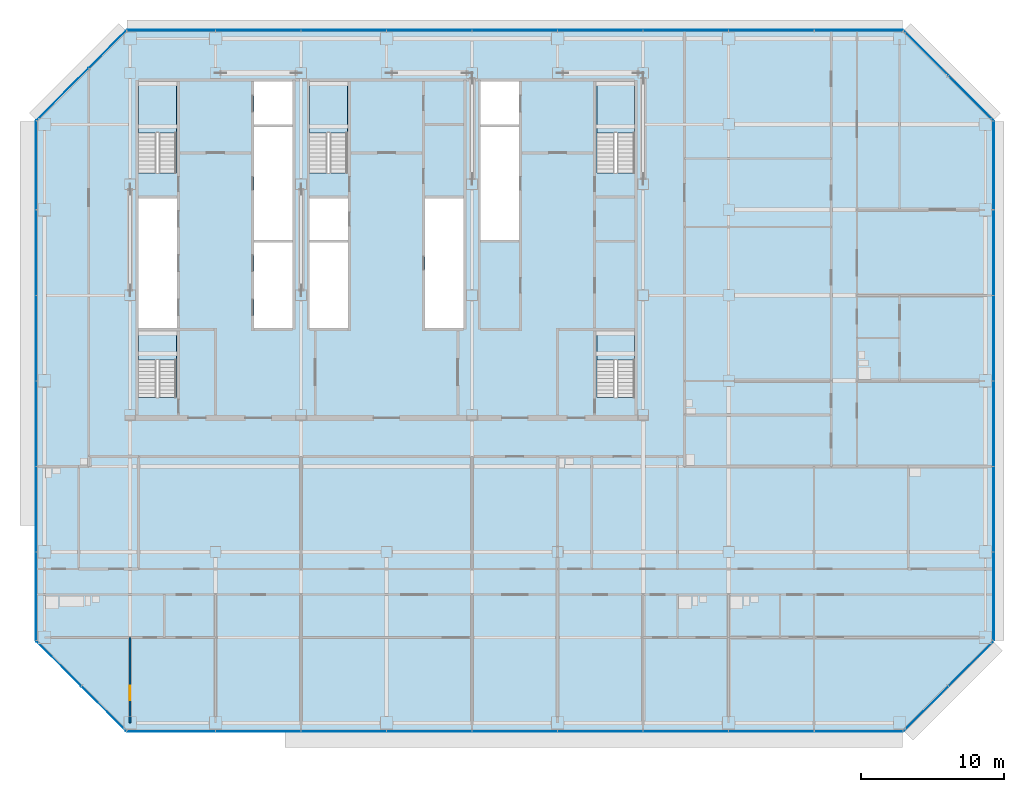
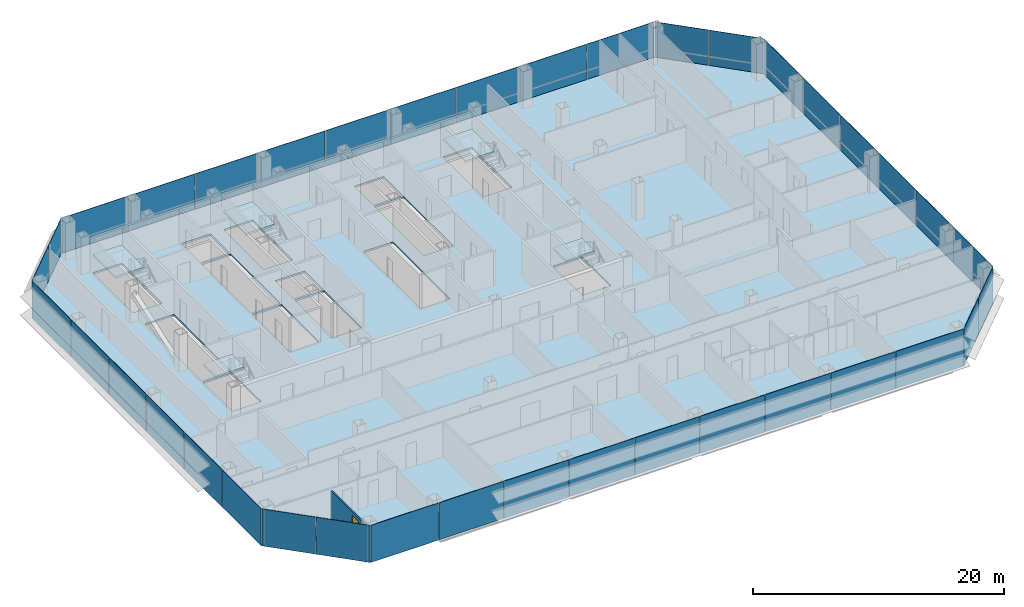
# One storey, part 19 of 27: 38 plates, 6 slabs, 1 door, 1 wall, 1 opening, 13 elements without a shape of their own.
"""IFC4 building model written with IfcOpenShell, lengths in metres."""

from ifc_helpers import new_model, si_unit, direction, frame, frame_2d, origin, origin_2d, place, context, subcontext, project, spatial, polyline, rectangle, outline, extrude, material, layer, layer_set, type_object, element, fill, aggregate, save


model = new_model("IFC4")

# Units and contexts
model_context = context("Model", 3, precision=1e-05, world=origin(), true_north=direction((0.0, 1.0)))
body_context = subcontext(model_context, "Body", "Model", "MODEL_VIEW")
ifc_project = project(units=[si_unit("LENGTHUNIT", "METRE"), si_unit("AREAUNIT", "SQUARE_METRE"), si_unit("VOLUMEUNIT", "CUBIC_METRE"), si_unit("PLANEANGLEUNIT", "RADIAN"), si_unit("MASSUNIT", "GRAM", prefix="KILO")], contexts=[model_context])

# Site, building, storey
site_placement = place(None, origin())
site = spatial("IfcSite", under=ifc_project, at=site_placement, CompositionType="ELEMENT")
building_placement = place(site_placement, origin())
building = spatial("IfcBuilding", under=site, at=building_placement, Name="Sorahane Residences", CompositionType="ELEMENT")
storey_placement = place(building_placement, frame((0.0, 0.0, 57.0)))
storey = spatial("IfcBuildingStorey", under=building, at=storey_placement, Name="L10", CompositionType="ELEMENT", Elevation=57.0)

# Slab
ifc_material_1 = material(Name="Concrete C35", Category="concrete")
ifc_layer_1 = layer(ifc_material_1, 0.179931640625)
ifc_layer_set_1 = layer_set([ifc_layer_1], Name="Composite floor slab 180 mm Concrete C35")
slab_type_1 = type_object("IfcSlabType", Name="Composite floor slab 180 mm Concrete C35", PredefinedType="FLOOR", material=ifc_layer_set_1)
slab_1_placement = place(storey_placement, frame((0.0, 0.0, -0.179931640625)))
element("IfcSlab", 1, at=slab_1_placement, inside=storey, type_object=slab_type_1, Name="Slab L10", PredefinedType="FLOOR", context=body_context, shape_type="SweptSolid", body=[
    extrude(outline(polyline([(5.75146484375, -0.60009765625), (-0.60009765625, 5.75146484375), (-0.60009765625, 42.24853515625), (5.75146484375, 48.60009765625), (60.24853515625, 48.60009765625), (66.60009765625, 42.24853515625), (66.60009765625, 5.75146484375), (60.24853515625, -0.60009765625), (5.75146484375, -0.60009765625)]), holes=[polyline([(18.60009765625, 27.699951171875), (21.300048828125, 27.699951171875), (21.300048828125, 33.699951171875), (18.60009765625, 33.699951171875), (18.60009765625, 27.699951171875)]), polyline([(30.60009765625, 42.0), (33.300048828125, 42.0), (33.300048828125, 45.0), (30.60009765625, 45.0), (30.60009765625, 42.0)]), polyline([(14.699951171875, 27.699951171875), (17.39990234375, 27.699951171875), (17.39990234375, 33.699951171875), (14.699951171875, 33.699951171875), (14.699951171875, 27.699951171875)]), polyline([(14.699951171875, 42.0), (17.39990234375, 42.0), (17.39990234375, 45.0), (14.699951171875, 45.0), (14.699951171875, 42.0)]), polyline([(6.60009765625, 27.699951171875), (9.300048828125, 27.699951171875), (9.300048828125, 36.800048828125), (6.60009765625, 36.800048828125), (6.60009765625, 27.699951171875)]), polyline([(9.25, 38.60009765625), (9.25, 45.0), (6.60009765625, 45.0), (6.60009765625, 38.60009765625), (9.25, 38.60009765625)]), polyline([(41.39990234375, 38.60009765625), (41.39990234375, 45.0), (38.75, 45.0), (38.75, 38.60009765625), (41.39990234375, 38.60009765625)]), polyline([(21.25, 38.60009765625), (21.25, 45.0), (18.60009765625, 45.0), (18.60009765625, 38.60009765625), (21.25, 38.60009765625)]), polyline([(9.25, 22.85009765625), (9.25, 27.5), (6.60009765625, 27.5), (6.60009765625, 22.85009765625), (9.25, 22.85009765625)]), polyline([(41.39990234375, 22.85009765625), (41.39990234375, 27.5), (38.75, 27.5), (38.75, 22.85009765625), (41.39990234375, 22.85009765625)]), polyline([(14.699951171875, 33.89990234375), (17.39990234375, 33.89990234375), (17.39990234375, 41.800048828125), (14.699951171875, 41.800048828125), (14.699951171875, 33.89990234375)]), polyline([(30.60009765625, 33.89990234375), (33.300048828125, 33.89990234375), (33.300048828125, 41.800048828125), (30.60009765625, 41.800048828125), (30.60009765625, 33.89990234375)]), polyline([(18.60009765625, 33.89990234375), (21.300048828125, 33.89990234375), (21.300048828125, 36.800048828125), (18.60009765625, 36.800048828125), (18.60009765625, 33.89990234375)]), polyline([(26.699951171875, 27.699951171875), (29.39990234375, 27.699951171875), (29.39990234375, 36.800048828125), (26.699951171875, 36.800048828125), (26.699951171875, 27.699951171875)])]), origin(), (0.0, 0.0, 1.0), 0.179931640625),
])

# Curtain wall, plates
ifc_material_2 = material(Name="Dark low-e glass and black anodised aluminium", Category="aluminium")
curtain_wall_type_1 = type_object("IfcCurtainWallType", Name="Curtain wall CW-1 Typical unitised wall", PredefinedType="NOTDEFINED", material=ifc_material_2)
curtain_wall_1_placement = place(storey_placement, origin())
curtain_wall_1 = element("IfcCurtainWall", 2, at=curtain_wall_1_placement, inside=storey, type_object=curtain_wall_type_1, Name="CW-1 curtain wall L10 S1", PredefinedType="NOTDEFINED")
ifc_material_3 = material(Name="Dark low-e glass with black ceramic frit", Category="glass")
ifc_layer_2 = layer(ifc_material_3, 0.0400390625)
ifc_layer_set_2 = layer_set([ifc_layer_2], Name="Curtain wall glass panel dark low-e with black frit spandrel band")
plate_type = type_object("IfcPlateType", Name="Curtain wall glass panel dark low-e with black frit spandrel band", PredefinedType="CURTAIN_PANEL", material=ifc_layer_set_2)
plate_1_placement = place(storey_placement, frame((8.88818359375, -0.60009765625, -0.179931640625), z_axis=(0.0, 0.0, 1.0), x_axis=(1.0, 0.0, 0.0)))
plate_1 = element("IfcPlate", 3, at=plate_1_placement, type_object=plate_type, Name="CW-1 glass panel L10 S1.1", PredefinedType="CURTAIN_PANEL", context=body_context, shape_type="SweptSolid", body=[
    extrude(rectangle(XDim=6.173583984375, YDim=0.0400390625, at=origin_2d()), origin(), (0.0, 0.0, 1.0), 3.60009765625),
])
plate_2_placement = place(storey_placement, frame((15.0, -0.60009765625, -0.179931640625), z_axis=(0.0, 0.0, 1.0), x_axis=(1.0, 0.0, 0.0)))
plate_2 = element("IfcPlate", 4, at=plate_2_placement, type_object=plate_type, Name="CW-1 glass panel L10 S1.2", PredefinedType="CURTAIN_PANEL", context=body_context, shape_type="SweptSolid", body=[
    extrude(rectangle(XDim=5.949951171875, YDim=0.0400390625, at=origin_2d()), origin(), (0.0, 0.0, 1.0), 3.60009765625),
])
plate_3_placement = place(storey_placement, frame((21.0, -0.60009765625, -0.179931640625), z_axis=(0.0, 0.0, 1.0), x_axis=(1.0, 0.0, 0.0)))
plate_3 = element("IfcPlate", 5, at=plate_3_placement, type_object=plate_type, Name="CW-1 glass panel L10 S1.3", PredefinedType="CURTAIN_PANEL", context=body_context, shape_type="SweptSolid", body=[
    extrude(rectangle(XDim=5.949951171875, YDim=0.0400390625, at=origin_2d()), origin(), (0.0, 0.0, 1.0), 3.60009765625),
])
plate_4_placement = place(storey_placement, frame((27.0, -0.60009765625, -0.179931640625), z_axis=(0.0, 0.0, 1.0), x_axis=(1.0, 0.0, 0.0)))
plate_4 = element("IfcPlate", 6, at=plate_4_placement, type_object=plate_type, Name="CW-1 glass panel L10 S1.4", PredefinedType="CURTAIN_PANEL", context=body_context, shape_type="SweptSolid", body=[
    extrude(rectangle(XDim=5.949951171875, YDim=0.0400390625, at=origin_2d()), origin(), (0.0, 0.0, 1.0), 3.60009765625),
])
plate_5_placement = place(storey_placement, frame((33.0, -0.60009765625, -0.179931640625), z_axis=(0.0, 0.0, 1.0), x_axis=(1.0, 0.0, 0.0)))
plate_5 = element("IfcPlate", 7, at=plate_5_placement, type_object=plate_type, Name="CW-1 glass panel L10 S1.5", PredefinedType="CURTAIN_PANEL", context=body_context, shape_type="SweptSolid", body=[
    extrude(rectangle(XDim=5.949951171875, YDim=0.0400390625, at=origin_2d()), origin(), (0.0, 0.0, 1.0), 3.60009765625),
])
plate_6_placement = place(storey_placement, frame((39.0, -0.60009765625, -0.179931640625), z_axis=(0.0, 0.0, 1.0), x_axis=(1.0, 0.0, 0.0)))
plate_6 = element("IfcPlate", 8, at=plate_6_placement, type_object=plate_type, Name="CW-1 glass panel L10 S1.6", PredefinedType="CURTAIN_PANEL", context=body_context, shape_type="SweptSolid", body=[
    extrude(rectangle(XDim=5.949951171875, YDim=0.0400390625, at=origin_2d()), origin(), (0.0, 0.0, 1.0), 3.60009765625),
])
plate_7_placement = place(storey_placement, frame((45.0, -0.60009765625, -0.179931640625), z_axis=(0.0, 0.0, 1.0), x_axis=(1.0, 0.0, 0.0)))
plate_7 = element("IfcPlate", 9, at=plate_7_placement, type_object=plate_type, Name="CW-1 glass panel L10 S1.7", PredefinedType="CURTAIN_PANEL", context=body_context, shape_type="SweptSolid", body=[
    extrude(rectangle(XDim=5.949951171875, YDim=0.0400390625, at=origin_2d()), origin(), (0.0, 0.0, 1.0), 3.60009765625),
])
plate_8_placement = place(storey_placement, frame((51.0, -0.60009765625, -0.179931640625), z_axis=(0.0, 0.0, 1.0), x_axis=(1.0, 0.0, 0.0)))
plate_8 = element("IfcPlate", 10, at=plate_8_placement, type_object=plate_type, Name="CW-1 glass panel L10 S1.8", PredefinedType="CURTAIN_PANEL", context=body_context, shape_type="SweptSolid", body=[
    extrude(rectangle(XDim=5.949951171875, YDim=0.0400390625, at=origin_2d()), origin(), (0.0, 0.0, 1.0), 3.60009765625),
])
plate_9_placement = place(storey_placement, frame((57.11181640625, -0.60009765625, -0.179931640625), z_axis=(0.0, 0.0, 1.0), x_axis=(1.0, 0.0, 0.0)))
plate_9 = element("IfcPlate", 11, at=plate_9_placement, type_object=plate_type, Name="CW-1 glass panel L10 S1.9", PredefinedType="CURTAIN_PANEL", context=body_context, shape_type="SweptSolid", body=[
    extrude(rectangle(XDim=6.173583984375, YDim=0.0400390625, at=origin_2d()), origin(), (0.0, 0.0, 1.0), 3.60009765625),
])
aggregate(curtain_wall_1, [plate_1, plate_2, plate_3, plate_4, plate_5, plate_6, plate_7, plate_8, plate_9])

ifc_material_4 = material(Name="Dark low-e glass and black anodised aluminium", Category="aluminium")
curtain_wall_type_2 = type_object("IfcCurtainWallType", Name="Curtain wall CW-2 Chamfer unitised wall", PredefinedType="NOTDEFINED", material=ifc_material_4)
curtain_wall_2_placement = place(storey_placement, origin())
curtain_wall_2 = element("IfcCurtainWall", 12, at=curtain_wall_2_placement, inside=storey, type_object=curtain_wall_type_2, Name="CW-2 curtain wall L10 SE1", PredefinedType="NOTDEFINED")
plate_10_placement = place(storey_placement, frame((61.84521484375, 0.996826171875, -0.179931640625), z_axis=(0.0, 0.0, 1.0), x_axis=(0.707106781187, 0.707106781187, 0.0)))
plate_10 = element("IfcPlate", 13, at=plate_10_placement, type_object=plate_type, Name="CW-2 glass panel L10 SE1.1", PredefinedType="CURTAIN_PANEL", context=body_context, shape_type="SweptSolid", body=[
    extrude(rectangle(XDim=4.416259765625, YDim=0.0400390625, at=origin_2d()), origin(), (0.0, 0.0, 1.0), 3.60009765625),
])
plate_11_placement = place(storey_placement, frame((65.003173828125, 4.15478515625, -0.179931640625), z_axis=(0.0, 0.0, 1.0), x_axis=(0.707106781187, 0.707106781187, 0.0)))
plate_11 = element("IfcPlate", 14, at=plate_11_placement, type_object=plate_type, Name="CW-2 glass panel L10 SE1.2", PredefinedType="CURTAIN_PANEL", context=body_context, shape_type="SweptSolid", body=[
    extrude(rectangle(XDim=4.416259765625, YDim=0.0400390625, at=origin_2d()), origin(), (0.0, 0.0, 1.0), 3.60009765625),
])
aggregate(curtain_wall_2, [plate_10, plate_11])

curtain_wall_3_placement = place(storey_placement, origin())
curtain_wall_3 = element("IfcCurtainWall", 15, at=curtain_wall_3_placement, inside=storey, type_object=curtain_wall_type_1, Name="CW-1 curtain wall L10 E1", PredefinedType="NOTDEFINED")
plate_12_placement = place(storey_placement, frame((66.60009765625, 8.88818359375, -0.179931640625), z_axis=(0.0, 0.0, 1.0), x_axis=(0.0, 1.0, 0.0)))
plate_12 = element("IfcPlate", 16, at=plate_12_placement, type_object=plate_type, Name="CW-1 glass panel L10 E1.1", PredefinedType="CURTAIN_PANEL", context=body_context, shape_type="SweptSolid", body=[
    extrude(rectangle(XDim=6.173583984375, YDim=0.0400390625, at=origin_2d()), origin(), (0.0, 0.0, 1.0), 3.60009765625),
])
plate_13_placement = place(storey_placement, frame((66.60009765625, 15.0, -0.179931640625), z_axis=(0.0, 0.0, 1.0), x_axis=(0.0, 1.0, 0.0)))
plate_13 = element("IfcPlate", 17, at=plate_13_placement, type_object=plate_type, Name="CW-1 glass panel L10 E1.2", PredefinedType="CURTAIN_PANEL", context=body_context, shape_type="SweptSolid", body=[
    extrude(rectangle(XDim=5.949951171875, YDim=0.0400390625, at=origin_2d()), origin(), (0.0, 0.0, 1.0), 3.60009765625),
])
plate_14_placement = place(storey_placement, frame((66.60009765625, 21.0, -0.179931640625), z_axis=(0.0, 0.0, 1.0), x_axis=(0.0, 1.0, 0.0)))
plate_14 = element("IfcPlate", 18, at=plate_14_placement, type_object=plate_type, Name="CW-1 glass panel L10 E1.3", PredefinedType="CURTAIN_PANEL", context=body_context, shape_type="SweptSolid", body=[
    extrude(rectangle(XDim=5.949951171875, YDim=0.0400390625, at=origin_2d()), origin(), (0.0, 0.0, 1.0), 3.60009765625),
])
plate_15_placement = place(storey_placement, frame((66.60009765625, 27.0, -0.179931640625), z_axis=(0.0, 0.0, 1.0), x_axis=(0.0, 1.0, 0.0)))
plate_15 = element("IfcPlate", 19, at=plate_15_placement, type_object=plate_type, Name="CW-1 glass panel L10 E1.4", PredefinedType="CURTAIN_PANEL", context=body_context, shape_type="SweptSolid", body=[
    extrude(rectangle(XDim=5.949951171875, YDim=0.0400390625, at=origin_2d()), origin(), (0.0, 0.0, 1.0), 3.60009765625),
])
plate_16_placement = place(storey_placement, frame((66.60009765625, 33.0, -0.179931640625), z_axis=(0.0, 0.0, 1.0), x_axis=(0.0, 1.0, 0.0)))
plate_16 = element("IfcPlate", 20, at=plate_16_placement, type_object=plate_type, Name="CW-1 glass panel L10 E1.5", PredefinedType="CURTAIN_PANEL", context=body_context, shape_type="SweptSolid", body=[
    extrude(rectangle(XDim=5.949951171875, YDim=0.0400390625, at=origin_2d()), origin(), (0.0, 0.0, 1.0), 3.60009765625),
])
plate_17_placement = place(storey_placement, frame((66.60009765625, 39.11181640625, -0.179931640625), z_axis=(0.0, 0.0, 1.0), x_axis=(0.0, 1.0, 0.0)))
plate_17 = element("IfcPlate", 21, at=plate_17_placement, type_object=plate_type, Name="CW-1 glass panel L10 E1.6", PredefinedType="CURTAIN_PANEL", context=body_context, shape_type="SweptSolid", body=[
    extrude(rectangle(XDim=6.173583984375, YDim=0.0400390625, at=origin_2d()), origin(), (0.0, 0.0, 1.0), 3.60009765625),
])
aggregate(curtain_wall_3, [plate_12, plate_13, plate_14, plate_15, plate_16, plate_17])

curtain_wall_4_placement = place(storey_placement, origin())
curtain_wall_4 = element("IfcCurtainWall", 22, at=curtain_wall_4_placement, inside=storey, type_object=curtain_wall_type_2, Name="CW-2 curtain wall L10 NE1", PredefinedType="NOTDEFINED")
plate_18_placement = place(storey_placement, frame((65.003173828125, 43.84521484375, -0.179931640625), z_axis=(0.0, 0.0, 1.0), x_axis=(-0.707106781187, 0.707106781187, 0.0)))
plate_18 = element("IfcPlate", 23, at=plate_18_placement, type_object=plate_type, Name="CW-2 glass panel L10 NE1.1", PredefinedType="CURTAIN_PANEL", context=body_context, shape_type="SweptSolid", body=[
    extrude(rectangle(XDim=4.416259765625, YDim=0.0400390625, at=origin_2d()), origin(), (0.0, 0.0, 1.0), 3.60009765625),
])
plate_19_placement = place(storey_placement, frame((61.84521484375, 47.003173828125, -0.179931640625), z_axis=(0.0, 0.0, 1.0), x_axis=(-0.707106781187, 0.707106781187, 0.0)))
plate_19 = element("IfcPlate", 24, at=plate_19_placement, type_object=plate_type, Name="CW-2 glass panel L10 NE1.2", PredefinedType="CURTAIN_PANEL", context=body_context, shape_type="SweptSolid", body=[
    extrude(rectangle(XDim=4.416259765625, YDim=0.0400390625, at=origin_2d()), origin(), (0.0, 0.0, 1.0), 3.60009765625),
])
aggregate(curtain_wall_4, [plate_18, plate_19])

curtain_wall_5_placement = place(storey_placement, origin())
curtain_wall_5 = element("IfcCurtainWall", 25, at=curtain_wall_5_placement, inside=storey, type_object=curtain_wall_type_1, Name="CW-1 curtain wall L10 N1", PredefinedType="NOTDEFINED")
plate_20_placement = place(storey_placement, frame((57.11181640625, 48.60009765625, -0.179931640625), z_axis=(0.0, 0.0, 1.0), x_axis=(-1.0, 0.0, 0.0)))
plate_20 = element("IfcPlate", 26, at=plate_20_placement, type_object=plate_type, Name="CW-1 glass panel L10 N1.1", PredefinedType="CURTAIN_PANEL", context=body_context, shape_type="SweptSolid", body=[
    extrude(rectangle(XDim=6.173583984375, YDim=0.0400390625, at=origin_2d()), origin(), (0.0, 0.0, 1.0), 3.60009765625),
])
plate_21_placement = place(storey_placement, frame((51.0, 48.60009765625, -0.179931640625), z_axis=(0.0, 0.0, 1.0), x_axis=(-1.0, 0.0, 0.0)))
plate_21 = element("IfcPlate", 27, at=plate_21_placement, type_object=plate_type, Name="CW-1 glass panel L10 N1.2", PredefinedType="CURTAIN_PANEL", context=body_context, shape_type="SweptSolid", body=[
    extrude(rectangle(XDim=5.949951171875, YDim=0.0400390625, at=origin_2d()), origin(), (0.0, 0.0, 1.0), 3.60009765625),
])
plate_22_placement = place(storey_placement, frame((45.0, 48.60009765625, -0.179931640625), z_axis=(0.0, 0.0, 1.0), x_axis=(-1.0, 0.0, 0.0)))
plate_22 = element("IfcPlate", 28, at=plate_22_placement, type_object=plate_type, Name="CW-1 glass panel L10 N1.3", PredefinedType="CURTAIN_PANEL", context=body_context, shape_type="SweptSolid", body=[
    extrude(rectangle(XDim=5.949951171875, YDim=0.0400390625, at=origin_2d()), origin(), (0.0, 0.0, 1.0), 3.60009765625),
])
plate_23_placement = place(storey_placement, frame((39.0, 48.60009765625, -0.179931640625), z_axis=(0.0, 0.0, 1.0), x_axis=(-1.0, 0.0, 0.0)))
plate_23 = element("IfcPlate", 29, at=plate_23_placement, type_object=plate_type, Name="CW-1 glass panel L10 N1.4", PredefinedType="CURTAIN_PANEL", context=body_context, shape_type="SweptSolid", body=[
    extrude(rectangle(XDim=5.949951171875, YDim=0.0400390625, at=origin_2d()), origin(), (0.0, 0.0, 1.0), 3.60009765625),
])
plate_24_placement = place(storey_placement, frame((33.0, 48.60009765625, -0.179931640625), z_axis=(0.0, 0.0, 1.0), x_axis=(-1.0, 0.0, 0.0)))
plate_24 = element("IfcPlate", 30, at=plate_24_placement, type_object=plate_type, Name="CW-1 glass panel L10 N1.5", PredefinedType="CURTAIN_PANEL", context=body_context, shape_type="SweptSolid", body=[
    extrude(rectangle(XDim=5.949951171875, YDim=0.0400390625, at=origin_2d()), origin(), (0.0, 0.0, 1.0), 3.60009765625),
])
plate_25_placement = place(storey_placement, frame((27.0, 48.60009765625, -0.179931640625), z_axis=(0.0, 0.0, 1.0), x_axis=(-1.0, 0.0, 0.0)))
plate_25 = element("IfcPlate", 31, at=plate_25_placement, type_object=plate_type, Name="CW-1 glass panel L10 N1.6", PredefinedType="CURTAIN_PANEL", context=body_context, shape_type="SweptSolid", body=[
    extrude(rectangle(XDim=5.949951171875, YDim=0.0400390625, at=origin_2d()), origin(), (0.0, 0.0, 1.0), 3.60009765625),
])
plate_26_placement = place(storey_placement, frame((21.0, 48.60009765625, -0.179931640625), z_axis=(0.0, 0.0, 1.0), x_axis=(-1.0, 0.0, 0.0)))
plate_26 = element("IfcPlate", 32, at=plate_26_placement, type_object=plate_type, Name="CW-1 glass panel L10 N1.7", PredefinedType="CURTAIN_PANEL", context=body_context, shape_type="SweptSolid", body=[
    extrude(rectangle(XDim=5.949951171875, YDim=0.0400390625, at=origin_2d()), origin(), (0.0, 0.0, 1.0), 3.60009765625),
])
plate_27_placement = place(storey_placement, frame((15.0, 48.60009765625, -0.179931640625), z_axis=(0.0, 0.0, 1.0), x_axis=(-1.0, 0.0, 0.0)))
plate_27 = element("IfcPlate", 33, at=plate_27_placement, type_object=plate_type, Name="CW-1 glass panel L10 N1.8", PredefinedType="CURTAIN_PANEL", context=body_context, shape_type="SweptSolid", body=[
    extrude(rectangle(XDim=5.949951171875, YDim=0.0400390625, at=origin_2d()), origin(), (0.0, 0.0, 1.0), 3.60009765625),
])
plate_28_placement = place(storey_placement, frame((8.88818359375, 48.60009765625, -0.179931640625), z_axis=(0.0, 0.0, 1.0), x_axis=(-1.0, 0.0, 0.0)))
plate_28 = element("IfcPlate", 34, at=plate_28_placement, type_object=plate_type, Name="CW-1 glass panel L10 N1.9", PredefinedType="CURTAIN_PANEL", context=body_context, shape_type="SweptSolid", body=[
    extrude(rectangle(XDim=6.173583984375, YDim=0.0400390625, at=origin_2d()), origin(), (0.0, 0.0, 1.0), 3.60009765625),
])
aggregate(curtain_wall_5, [plate_20, plate_21, plate_22, plate_23, plate_24, plate_25, plate_26, plate_27, plate_28])

curtain_wall_6_placement = place(storey_placement, origin())
curtain_wall_6 = element("IfcCurtainWall", 35, at=curtain_wall_6_placement, inside=storey, type_object=curtain_wall_type_2, Name="CW-2 curtain wall L10 NW1", PredefinedType="NOTDEFINED")
plate_29_placement = place(storey_placement, frame((4.4169921875, 47.265625, -0.179931640625), z_axis=(0.0, 0.0, 1.0), x_axis=(-0.707106781187, -0.707106781187, 0.0)))
plate_29 = element("IfcPlate", 36, at=plate_29_placement, type_object=plate_type, Name="CW-2 glass panel L10 NW1.1", PredefinedType="CURTAIN_PANEL", context=body_context, shape_type="SweptSolid", body=[
    extrude(rectangle(XDim=3.67431640625, YDim=0.0400390625, at=origin_2d()), origin(), (0.0, 0.0, 1.0), 3.60009765625),
])
plate_30_placement = place(storey_placement, frame((1.259033203125, 44.107421875, -0.179931640625), z_axis=(0.0, 0.0, 1.0), x_axis=(-0.707106781187, -0.707106781187, 0.0)))
plate_30 = element("IfcPlate", 37, at=plate_30_placement, type_object=plate_type, Name="CW-2 glass panel L10 NW1.2", PredefinedType="CURTAIN_PANEL", context=body_context, shape_type="SweptSolid", body=[
    extrude(rectangle(XDim=5.157958984375, YDim=0.0400390625, at=origin_2d()), origin(), (0.0, 0.0, 1.0), 3.60009765625),
])
aggregate(curtain_wall_6, [plate_29, plate_30])

curtain_wall_7_placement = place(storey_placement, origin())
curtain_wall_7 = element("IfcCurtainWall", 38, at=curtain_wall_7_placement, inside=storey, type_object=curtain_wall_type_1, Name="CW-1 curtain wall L10 W1", PredefinedType="NOTDEFINED")
plate_31_placement = place(storey_placement, frame((-0.60009765625, 39.11181640625, -0.179931640625), z_axis=(0.0, 0.0, 1.0), x_axis=(0.0, -1.0, 0.0)))
plate_31 = element("IfcPlate", 39, at=plate_31_placement, type_object=plate_type, Name="CW-1 glass panel L10 W1.1", PredefinedType="CURTAIN_PANEL", context=body_context, shape_type="SweptSolid", body=[
    extrude(rectangle(XDim=6.173583984375, YDim=0.0400390625, at=origin_2d()), origin(), (0.0, 0.0, 1.0), 3.60009765625),
])
plate_32_placement = place(storey_placement, frame((-0.60009765625, 33.0, -0.179931640625), z_axis=(0.0, 0.0, 1.0), x_axis=(0.0, -1.0, 0.0)))
plate_32 = element("IfcPlate", 40, at=plate_32_placement, type_object=plate_type, Name="CW-1 glass panel L10 W1.2", PredefinedType="CURTAIN_PANEL", context=body_context, shape_type="SweptSolid", body=[
    extrude(rectangle(XDim=5.949951171875, YDim=0.0400390625, at=origin_2d()), origin(), (0.0, 0.0, 1.0), 3.60009765625),
])
plate_33_placement = place(storey_placement, frame((-0.60009765625, 27.0, -0.179931640625), z_axis=(0.0, 0.0, 1.0), x_axis=(0.0, -1.0, 0.0)))
plate_33 = element("IfcPlate", 41, at=plate_33_placement, type_object=plate_type, Name="CW-1 glass panel L10 W1.3", PredefinedType="CURTAIN_PANEL", context=body_context, shape_type="SweptSolid", body=[
    extrude(rectangle(XDim=5.949951171875, YDim=0.0400390625, at=origin_2d()), origin(), (0.0, 0.0, 1.0), 3.60009765625),
])
plate_34_placement = place(storey_placement, frame((-0.60009765625, 21.0, -0.179931640625), z_axis=(0.0, 0.0, 1.0), x_axis=(0.0, -1.0, 0.0)))
plate_34 = element("IfcPlate", 42, at=plate_34_placement, type_object=plate_type, Name="CW-1 glass panel L10 W1.4", PredefinedType="CURTAIN_PANEL", context=body_context, shape_type="SweptSolid", body=[
    extrude(rectangle(XDim=5.949951171875, YDim=0.0400390625, at=origin_2d()), origin(), (0.0, 0.0, 1.0), 3.60009765625),
])
plate_35_placement = place(storey_placement, frame((-0.60009765625, 15.0, -0.179931640625), z_axis=(0.0, 0.0, 1.0), x_axis=(0.0, -1.0, 0.0)))
plate_35 = element("IfcPlate", 43, at=plate_35_placement, type_object=plate_type, Name="CW-1 glass panel L10 W1.5", PredefinedType="CURTAIN_PANEL", context=body_context, shape_type="SweptSolid", body=[
    extrude(rectangle(XDim=5.949951171875, YDim=0.0400390625, at=origin_2d()), origin(), (0.0, 0.0, 1.0), 3.60009765625),
])
plate_36_placement = place(storey_placement, frame((-0.60009765625, 8.88818359375, -0.179931640625), z_axis=(0.0, 0.0, 1.0), x_axis=(0.0, -1.0, 0.0)))
plate_36 = element("IfcPlate", 44, at=plate_36_placement, type_object=plate_type, Name="CW-1 glass panel L10 W1.6", PredefinedType="CURTAIN_PANEL", context=body_context, shape_type="SweptSolid", body=[
    extrude(rectangle(XDim=6.173583984375, YDim=0.0400390625, at=origin_2d()), origin(), (0.0, 0.0, 1.0), 3.60009765625),
])
aggregate(curtain_wall_7, [plate_31, plate_32, plate_33, plate_34, plate_35, plate_36])

curtain_wall_8_placement = place(storey_placement, origin())
curtain_wall_8 = element("IfcCurtainWall", 45, at=curtain_wall_8_placement, inside=storey, type_object=curtain_wall_type_2, Name="CW-2 curtain wall L10 SW1", PredefinedType="NOTDEFINED")
plate_37_placement = place(storey_placement, frame((0.996826171875, 4.15478515625, -0.179931640625), z_axis=(0.0, 0.0, 1.0), x_axis=(0.707106781187, -0.707106781187, 0.0)))
plate_37 = element("IfcPlate", 46, at=plate_37_placement, type_object=plate_type, Name="CW-2 glass panel L10 SW1.1", PredefinedType="CURTAIN_PANEL", context=body_context, shape_type="SweptSolid", body=[
    extrude(rectangle(XDim=4.416259765625, YDim=0.0400390625, at=origin_2d()), origin(), (0.0, 0.0, 1.0), 3.60009765625),
])
plate_38_placement = place(storey_placement, frame((4.15478515625, 0.996826171875, -0.179931640625), z_axis=(0.0, 0.0, 1.0), x_axis=(0.707106781187, -0.707106781187, 0.0)))
plate_38 = element("IfcPlate", 47, at=plate_38_placement, type_object=plate_type, Name="CW-2 glass panel L10 SW1.2", PredefinedType="CURTAIN_PANEL", context=body_context, shape_type="SweptSolid", body=[
    extrude(rectangle(XDim=4.416259765625, YDim=0.0400390625, at=origin_2d()), origin(), (0.0, 0.0, 1.0), 3.60009765625),
])
aggregate(curtain_wall_8, [plate_37, plate_38])

# Stair, slab
ifc_material_5 = material(Name="Concrete C40", Category="concrete")
stair_type = type_object("IfcStairType", Name="Dog-leg stair 1250 Concrete C40", PredefinedType="HALF_TURN_STAIR", material=ifc_material_5)
stair_1_placement = place(storey_placement, origin())
stair_1 = element("IfcStair", 48, at=stair_1_placement, inside=storey, type_object=stair_type, Name="L10 Stair S1", PredefinedType="HALF_TURN_STAIR")
ifc_material_6 = material(Name="Concrete C40", Category="concrete")
ifc_layer_3 = layer(ifc_material_6, 0.199951171875)
ifc_layer_set_3 = layer_set([ifc_layer_3], Name="Stair landing 200 Concrete C40")
slab_type_2 = type_object("IfcSlabType", Name="Stair landing 200 Concrete C40", PredefinedType="LANDING", material=ifc_layer_set_3)
slab_2_placement = place(storey_placement, frame((0.0, 0.0, 1.60009765625)))
slab_2 = element("IfcSlab", 49, at=slab_2_placement, type_object=slab_type_2, Name="S1 landing 1", PredefinedType="LANDING", context=body_context, shape_type="SweptSolid", body=[
    extrude(outline(polyline([(9.25, 41.39990234375), (9.25, 45.0), (6.60009765625, 45.0), (6.60009765625, 41.39990234375), (9.25, 41.39990234375)])), origin(), (0.0, 0.0, 1.0), 0.199951171875),
])
aggregate(stair_1, [slab_2])

stair_2_placement = place(storey_placement, origin())
stair_2 = element("IfcStair", 50, at=stair_2_placement, inside=storey, type_object=stair_type, Name="L10 Stair S2", PredefinedType="HALF_TURN_STAIR")
slab_3_placement = place(storey_placement, frame((0.0, 0.0, 1.60009765625)))
slab_3 = element("IfcSlab", 51, at=slab_3_placement, type_object=slab_type_2, Name="S2 landing 1", PredefinedType="LANDING", context=body_context, shape_type="SweptSolid", body=[
    extrude(outline(polyline([(41.39990234375, 41.39990234375), (41.39990234375, 45.0), (38.75, 45.0), (38.75, 41.39990234375), (41.39990234375, 41.39990234375)])), origin(), (0.0, 0.0, 1.0), 0.199951171875),
])
aggregate(stair_2, [slab_3])

stair_3_placement = place(storey_placement, origin())
stair_3 = element("IfcStair", 52, at=stair_3_placement, inside=storey, type_object=stair_type, Name="L10 Stair S3", PredefinedType="HALF_TURN_STAIR")
slab_4_placement = place(storey_placement, frame((0.0, 0.0, 1.60009765625)))
slab_4 = element("IfcSlab", 53, at=slab_4_placement, type_object=slab_type_2, Name="S3 landing 1", PredefinedType="LANDING", context=body_context, shape_type="SweptSolid", body=[
    extrude(outline(polyline([(21.25, 41.39990234375), (21.25, 45.0), (18.60009765625, 45.0), (18.60009765625, 41.39990234375), (21.25, 41.39990234375)])), origin(), (0.0, 0.0, 1.0), 0.199951171875),
])
aggregate(stair_3, [slab_4])

stair_4_placement = place(storey_placement, origin())
stair_4 = element("IfcStair", 54, at=stair_4_placement, inside=storey, type_object=stair_type, Name="L10 Stair S4", PredefinedType="HALF_TURN_STAIR")
slab_5_placement = place(storey_placement, frame((0.0, 0.0, 1.60009765625)))
slab_5 = element("IfcSlab", 55, at=slab_5_placement, type_object=slab_type_2, Name="S4 landing 1", PredefinedType="LANDING", context=body_context, shape_type="SweptSolid", body=[
    extrude(outline(polyline([(9.25, 25.449951171875), (9.25, 27.5), (6.60009765625, 27.5), (6.60009765625, 25.449951171875), (9.25, 25.449951171875)])), origin(), (0.0, 0.0, 1.0), 0.199951171875),
])
aggregate(stair_4, [slab_5])

stair_5_placement = place(storey_placement, origin())
stair_5 = element("IfcStair", 56, at=stair_5_placement, inside=storey, type_object=stair_type, Name="L10 Stair S5", PredefinedType="HALF_TURN_STAIR")
slab_6_placement = place(storey_placement, frame((0.0, 0.0, 1.60009765625)))
slab_6 = element("IfcSlab", 57, at=slab_6_placement, type_object=slab_type_2, Name="S5 landing 1", PredefinedType="LANDING", context=body_context, shape_type="SweptSolid", body=[
    extrude(outline(polyline([(41.39990234375, 25.449951171875), (41.39990234375, 27.5), (38.75, 27.5), (38.75, 25.449951171875), (41.39990234375, 25.449951171875)])), origin(), (0.0, 0.0, 1.0), 0.199951171875),
])
aggregate(stair_5, [slab_6])

# Wall, opening, door
ifc_material_7 = material(Name="Gypsum board partition on steel studs", Category="steel")
ifc_layer_4 = layer(ifc_material_7, 0.14990234375)
ifc_layer_set_4 = layer_set([ifc_layer_4], Name="Partition 150 EI 90")
wall_type = type_object("IfcWallType", Name="Partition 150 EI 90", PredefinedType="PARTITIONING", material=ifc_layer_set_4)
wall_placement = place(storey_placement, frame((6.0, 0.0, 0.0), z_axis=(0.0, 0.0, 1.0), x_axis=(0.0, 1.0, 0.0)))
wall = element("IfcWall", 58, at=wall_placement, inside=storey, type_object=wall_type, Name="L10 partition", PredefinedType="PARTITIONING", context=body_context, shape_type="SweptSolid", body=[
    extrude(rectangle(XDim=6.0, YDim=0.14990234375, at=frame_2d((3.0, 0.0))), origin(), (0.0, 0.0, 1.0), 2.719970703125),
])
opening_placement = place(wall_placement, frame((1.60009765625, 0.0, 0.0)))
opening = element("IfcOpeningElement", 59, at=opening_placement, cuts=wall, Name="Opening L10-11", PredefinedType="OPENING", context=body_context, shape_type="SweptSolid", body=[
    extrude(rectangle(XDim=1.0, YDim=2.39990234375, at=frame_2d((0.5, 1.199951171875))), frame((0.0, 0.0849609375, 0.0), z_axis=(0.0, -1.0, 0.0), x_axis=(1.0, 0.0, 0.0)), (0.0, 0.0, 1.0), 0.169921875),
])
ifc_material_8 = material(Name="Timber veneered fire door", Category="wood")
door_type = type_object("IfcDoorType", Name="Room door 1000x2400 FD30", OperationType="NOTDEFINED", PredefinedType="DOOR", material=ifc_material_8)
door_placement = place(opening_placement, origin())
door = element("IfcDoor", 60, at=door_placement, inside=storey, type_object=door_type, Name="Room door L10-11", OperationType="SINGLE_SWING_LEFT", OverallHeight=2.39990234375, OverallWidth=1.0, PredefinedType="DOOR", context=body_context, shape_type="SweptSolid", body=[
    extrude(rectangle(XDim=1.0, YDim=2.39990234375, at=frame_2d((0.5, 1.199951171875))), frame((0.0, 0.02490234375, 0.0), z_axis=(0.0, -1.0, 0.0), x_axis=(1.0, 0.0, 0.0)), (0.0, 0.0, 1.0), 0.050048828125),
])
fill(opening, door)

save(model, "model.ifc")
